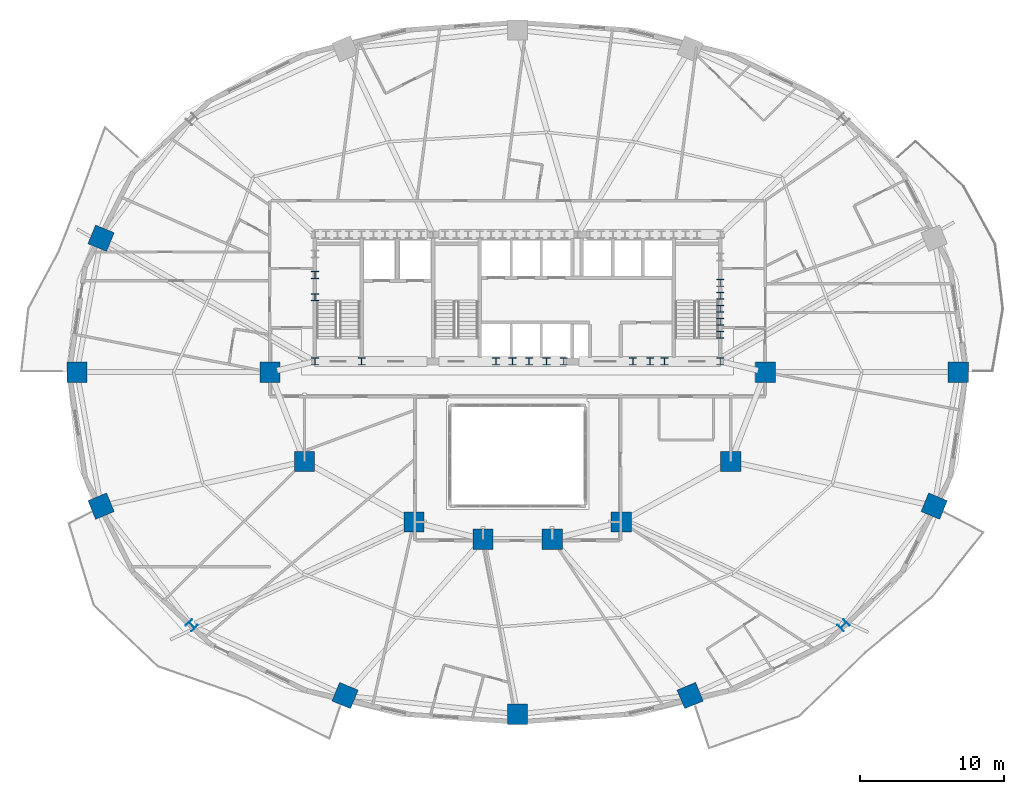
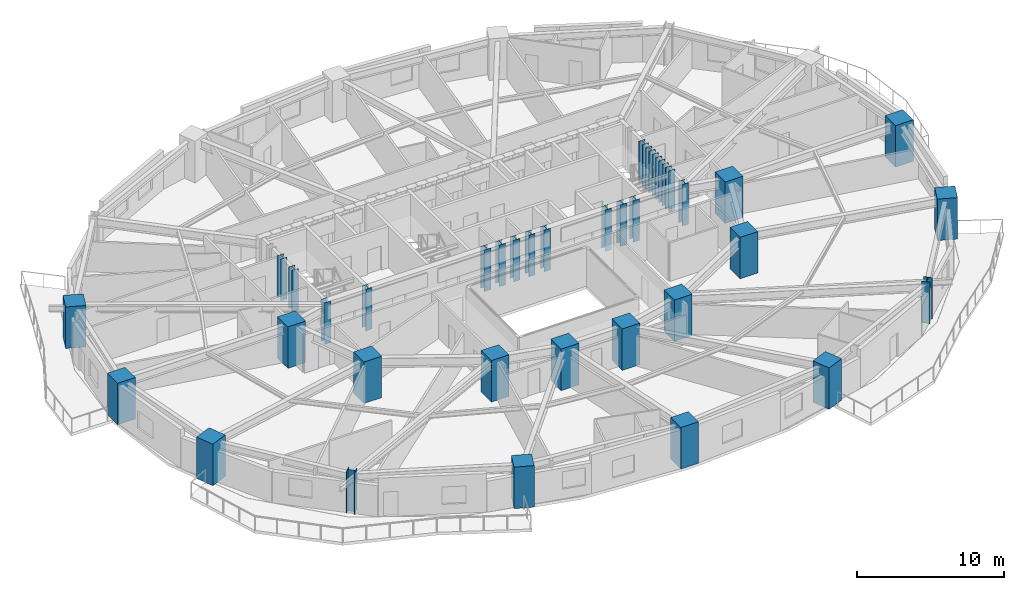
# One storey, part 1 of 17: 36 columns.
"""IFC4 building model written with IfcOpenShell, lengths in metres."""

from ifc_helpers import new_model, si_unit, direction, frame, origin, origin_2d, place, context, subcontext, project, spatial, rectangle, i_section, extrude, material, material_profile, profile_set, type_object, element, save


model = new_model("IFC4")

# Units and contexts
model_context = context("Model", 3, precision=1e-05, world=origin(), true_north=direction((0.0, 1.0)))
body_context = subcontext(model_context, "Body", "Model", "MODEL_VIEW")
ifc_project = project(units=[si_unit("LENGTHUNIT", "METRE"), si_unit("AREAUNIT", "SQUARE_METRE"), si_unit("VOLUMEUNIT", "CUBIC_METRE"), si_unit("PLANEANGLEUNIT", "RADIAN"), si_unit("MASSUNIT", "GRAM", prefix="KILO")], contexts=[model_context])

# Site, building, storey
site_placement = place(None, origin())
site = spatial("IfcSite", under=ifc_project, at=site_placement, CompositionType="ELEMENT")
building_placement = place(site_placement, origin())
building = spatial("IfcBuilding", under=site, at=building_placement, Name="Haldorwick Loom Tower", CompositionType="ELEMENT")
storey_placement = place(building_placement, frame((0.0, 0.0, 55.050048828125)))
storey = spatial("IfcBuildingStorey", under=building, at=storey_placement, Name="L14", CompositionType="ELEMENT", Elevation=55.050048828125)

# Columns
ifc_material_1 = material(Name="Concrete C60 (60 MPa)", Category="concrete")
ifc_material_profile_1 = material_profile(ifc_material_1, rectangle(XDim=1.39990234375, YDim=1.39990234375, at=origin_2d()), Name="RC1400X1400", Category="concrete")
ifc_profile_set_1 = profile_set([ifc_material_profile_1], Name="Concrete C60 (60 MPa)")
column_type_1 = type_object("IfcColumnType", Name="STR-COL-MEGA1400", PredefinedType="COLUMN", material=ifc_profile_set_1)
for number, where, z_axis, x_axis, name in (
    (1, (53.199951171875, 26.0, 0.0), (0.0, 0.0, 1.0), (1.0, 0.0, 0.0), "L14 Inner Column IC-01"),
    (2, (50.800048828125, 19.800048828125, 0.0), (0.0, 0.0, 1.0), (1.0, 0.0, 0.0), "L14 Inner Column IC-02"),
    (3, (43.199951171875, 15.60009765625, 0.0), (0.0, 0.0, 1.0), (1.0, 0.0, 0.0), "L14 Inner Column IC-03"),
    (4, (38.39990234375, 14.39990234375, 0.0), (0.0, 0.0, 1.0), (1.0, 0.0, 0.0), "L14 Inner Column IC-04"),
    (5, (33.60009765625, 14.39990234375, 0.0), (0.0, 0.0, 1.0), (1.0, 0.0, 0.0), "L14 Inner Column IC-05"),
    (6, (28.800048828125, 15.60009765625, 0.0), (0.0, 0.0, 1.0), (1.0, 0.0, 0.0), "L14 Inner Column IC-06"),
    (7, (21.199951171875, 19.800048828125, 0.0), (0.0, 0.0, 1.0), (1.0, 0.0, 0.0), "L14 Inner Column IC-07"),
    (8, (18.800048828125, 26.0, 0.0), (0.0, 0.0, 1.0), (1.0, 0.0, 0.0), "L14 Inner Column IC-08"),
):
    element("IfcColumn", number, at=place(storey_placement, frame(where, z_axis=z_axis, x_axis=x_axis)), inside=storey, type_object=column_type_1, Name=name, PredefinedType="COLUMN", context=body_context, shape_type="SweptSolid", body=[
        extrude(rectangle(XDim=1.39990234375, YDim=1.39990234375, at=origin_2d()), origin(), (0.0, 0.0, 1.0), 3.449951171875),
    ])
ifc_material_profile_2 = material_profile(ifc_material_1, rectangle(XDim=1.39990234375, YDim=1.39990234375, at=origin_2d()), Name="RC1400X1400", Category="concrete")
ifc_profile_set_2 = profile_set([ifc_material_profile_2], Name="Concrete C60 (60 MPa)")
column_type_2 = type_object("IfcColumnType", Name="STR-COL-RC1400", PredefinedType="PILASTER", material=ifc_profile_set_2)
for number, where, z_axis, x_axis, name in (
    (9, (66.595947265625, 26.0, 0.0), (0.0, 0.0, 1.0), (1.0, 0.0, 0.0), "L14 Perimeter Pier Column P01"),
    (10, (7.08251953125, 35.29931640625, 0.0), (0.0, 0.0, 1.0), (-0.923879532511, 0.382683432365, 0.0), "L14 Perimeter Pier Column P08"),
    (11, (5.404052734375, 26.0, 0.0), (0.0, 0.0, 1.0), (-1.0, 0.0, 0.0), "L14 Perimeter Pier Column P09"),
    (12, (7.08251953125, 16.70068359375, 0.0), (0.0, 0.0, 1.0), (-0.923879532511, -0.382683432365, 0.0), "L14 Perimeter Pier Column P10"),
    (13, (24.02197265625, 3.5498046875, 0.0), (0.0, 0.0, 1.0), (-0.382683432365, -0.923879532511, 0.0), "L14 Perimeter Pier Column P12"),
    (14, (36.0, 2.25, 0.0), (0.0, 0.0, 1.0), (0.0, -1.0, 0.0), "L14 Perimeter Pier Column P13"),
    (15, (47.97802734375, 3.5498046875, 0.0), (0.0, 0.0, 1.0), (0.382683432365, -0.923879532511, 0.0), "L14 Perimeter Pier Column P14"),
    (16, (64.91748046875, 16.70068359375, 0.0), (0.0, 0.0, 1.0), (0.923879532511, -0.382683432365, 0.0), "L14 Perimeter Pier Column P16"),
):
    element("IfcColumn", number, at=place(storey_placement, frame(where, z_axis=z_axis, x_axis=x_axis)), inside=storey, type_object=column_type_2, Name=name, PredefinedType="PILASTER", context=body_context, shape_type="SweptSolid", body=[
        extrude(rectangle(XDim=1.39990234375, YDim=1.39990234375, at=origin_2d()), origin(), (0.0, 0.0, 1.0), 3.449951171875),
    ])
ifc_material_2 = material(Name="Steel CSA G40.21 350WT", Category="steel")
ifc_material_profile_3 = material_profile(ifc_material_2, i_section(OverallWidth=0.5, OverallDepth=0.5, WebThickness=0.02197265625, FlangeThickness=0.031982421875, at=origin_2d()), Name="WWF500X500", Category="steel")
ifc_profile_set_3 = profile_set([ifc_material_profile_3], Name="Steel CSA G40.21 350WT")
column_type_3 = type_object("IfcColumnType", Name="STR-COL-WWF500", PredefinedType="COLUMN", material=ifc_profile_set_3)
for number, where, z_axis, x_axis, name in (
    (17, (21.929931640625, 26.75, 0.0), (0.0, 0.0, 1.0), (1.0, 0.0, 0.0), "L14 Core Pilaster CB-19"),
    (18, (25.169921875, 26.75, 0.0), (0.0, 0.0, 1.0), (1.0, 0.0, 0.0), "L14 Core Pilaster CB-20"),
    (19, (34.5, 26.75, 0.0), (0.0, 0.0, 1.0), (1.0, 0.0, 0.0), "L14 Core Pilaster CB-21"),
    (20, (36.800048828125, 26.75, 0.0), (0.0, 0.0, 1.0), (1.0, 0.0, 0.0), "L14 Core Pilaster CB-22"),
    (21, (39.199951171875, 26.75, 0.0), (0.0, 0.0, 1.0), (1.0, 0.0, 0.0), "L14 Core Pilaster CB-23"),
    (22, (45.199951171875, 26.75, 0.0), (0.0, 0.0, 1.0), (1.0, 0.0, 0.0), "L14 Core Pilaster CB-24"),
    (23, (50.070068359375, 26.75, 0.0), (0.0, 0.0, 1.0), (1.0, 0.0, 0.0), "L14 Core Pilaster CB-25"),
    (24, (21.929931640625, 31.199951171875, 0.0), (0.0, 0.0, 1.0), (1.0, 0.0, 0.0), "L14 Core Pilaster CB-26"),
    (25, (21.929931640625, 32.75, 0.0), (0.0, 0.0, 1.0), (1.0, 0.0, 0.0), "L14 Core Pilaster CB-27"),
    (26, (50.070068359375, 28.60009765625, 0.0), (0.0, 0.0, 1.0), (1.0, 0.0, 0.0), "L14 Core Pilaster CB-29"),
    (27, (50.070068359375, 30.39990234375, 0.0), (0.0, 0.0, 1.0), (1.0, 0.0, 0.0), "L14 Core Pilaster CB-30"),
    (28, (50.070068359375, 32.199951171875, 0.0), (0.0, 0.0, 1.0), (1.0, 0.0, 0.0), "L14 Core Pilaster CB-31"),
    (29, (50.070068359375, 29.5, 0.0), (0.0, 0.0, 1.0), (1.0, 0.0, 0.0), "L14 Core Pilaster CB-49"),
    (30, (50.070068359375, 31.300048828125, 0.0), (0.0, 0.0, 1.0), (1.0, 0.0, 0.0), "L14 Core Pilaster CB-50"),
    (31, (35.64990234375, 26.75, 0.0), (0.0, 0.0, 1.0), (1.0, 0.0, 0.0), "L14 Core Pilaster CB-51"),
    (32, (38.0, 26.75, 0.0), (0.0, 0.0, 1.0), (1.0, 0.0, 0.0), "L14 Core Pilaster CB-52"),
    (33, (44.0, 26.75, 0.0), (0.0, 0.0, 1.0), (1.0, 0.0, 0.0), "L14 Core Pilaster CB-53"),
    (34, (46.199951171875, 26.75, 0.0), (0.0, 0.0, 1.0), (1.0, 0.0, 0.0), "L14 Core Pilaster CB-54"),
):
    element("IfcColumn", number, at=place(storey_placement, frame(where, z_axis=z_axis, x_axis=x_axis)), inside=storey, type_object=column_type_3, Name=name, PredefinedType="COLUMN", context=body_context, shape_type="SweptSolid", body=[
        extrude(i_section(OverallWidth=0.5, OverallDepth=0.5, WebThickness=0.02197265625, FlangeThickness=0.031982421875, at=origin_2d()), origin(), (0.0, 0.0, 1.0), 3.449951171875),
    ])
ifc_material_profile_4 = material_profile(ifc_material_2, i_section(OverallWidth=0.60009765625, OverallDepth=0.60009765625, WebThickness=0.02490234375, FlangeThickness=0.035888671875, at=origin_2d()), Name="WWF600X600", Category="steel")
ifc_profile_set_4 = profile_set([ifc_material_profile_4], Name="Steel CSA G40.21 350WT")
column_type_4 = type_object("IfcColumnType", Name="STR-COL-WWF600", PredefinedType="COLUMN", material=ifc_profile_set_4)
for number, where, z_axis, x_axis, name in (
    (35, (13.369873046875, 8.428466796875, 0.0), (0.0, 0.0, 1.0), (-0.707106781187, -0.707106781187, 0.0), "L14 Perimeter Pier Column P11"),
    (36, (58.630126953125, 8.428466796875, 0.0), (0.0, 0.0, 1.0), (0.707106781187, -0.707106781187, 0.0), "L14 Perimeter Pier Column P15"),
):
    element("IfcColumn", number, at=place(storey_placement, frame(where, z_axis=z_axis, x_axis=x_axis)), inside=storey, type_object=column_type_4, Name=name, PredefinedType="COLUMN", context=body_context, shape_type="SweptSolid", body=[
        extrude(i_section(OverallWidth=0.60009765625, OverallDepth=0.60009765625, WebThickness=0.02490234375, FlangeThickness=0.035888671875, at=origin_2d()), origin(), (0.0, 0.0, 1.0), 3.449951171875),
    ])

save(model, "model.ifc")
